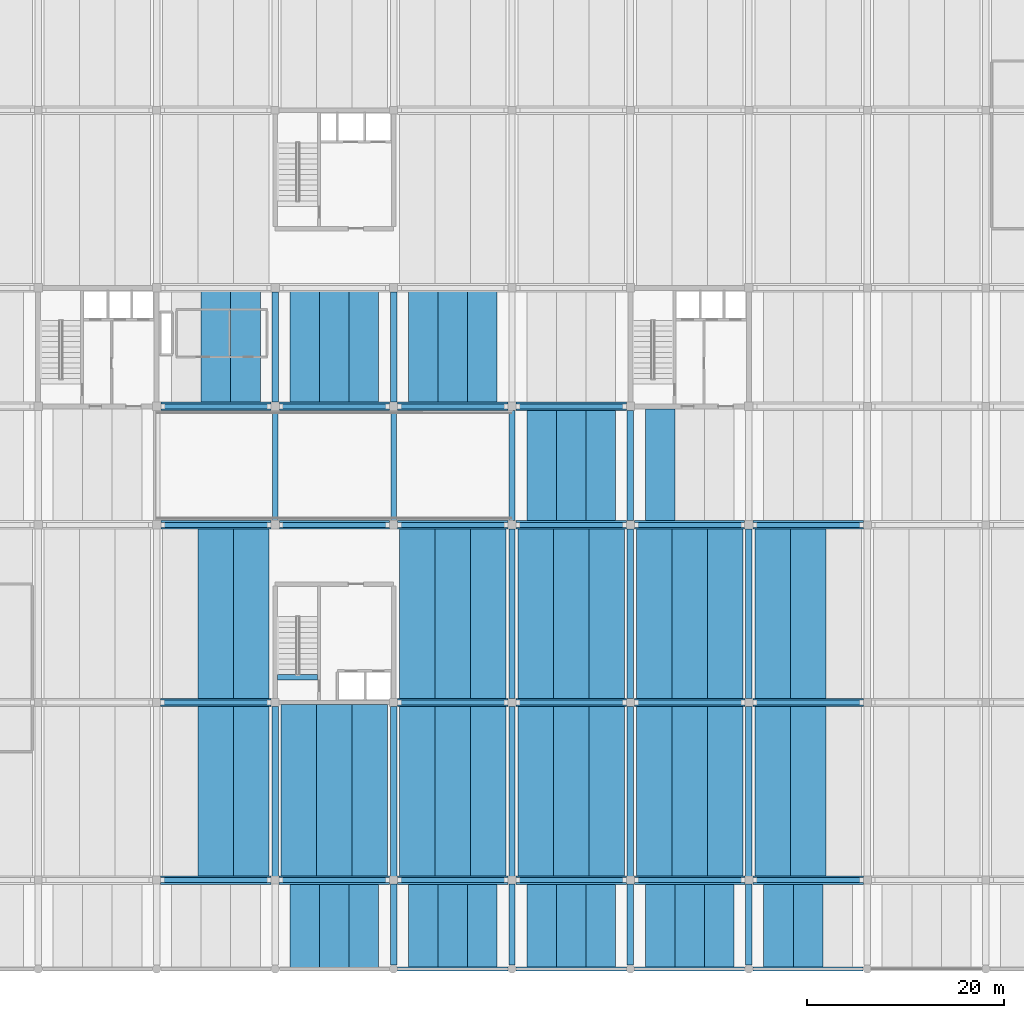
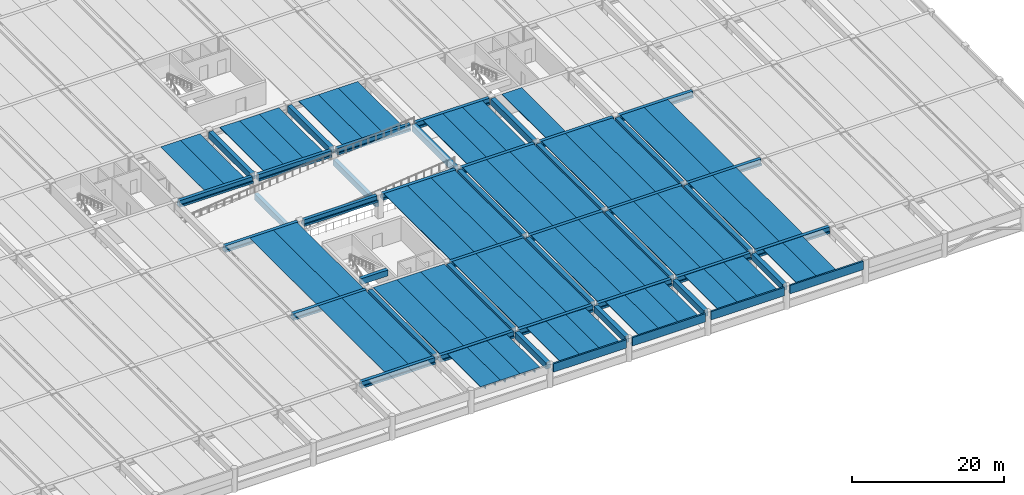
# One storey, part 3 of 21: 99 beams.
"""IFC4 building model written with IfcOpenShell, lengths in metres."""

from ifc_helpers import new_model, si_unit, direction, frame, origin, origin_2d, place, context, subcontext, project, spatial, polyline, rectangle, outline, extrude, material, material_profile, profile_set, type_object, element, save


model = new_model("IFC4")

# Units and contexts
model_context = context("Model", 3, precision=1e-05, world=origin(), true_north=direction((0.0, 1.0)))
body_context = subcontext(model_context, "Body", "Model", "MODEL_VIEW")
ifc_project = project(units=[si_unit("LENGTHUNIT", "METRE"), si_unit("AREAUNIT", "SQUARE_METRE"), si_unit("VOLUMEUNIT", "CUBIC_METRE"), si_unit("PLANEANGLEUNIT", "RADIAN"), si_unit("MASSUNIT", "GRAM", prefix="KILO")], contexts=[model_context])

# Site, building, storey
site_placement = place(None, origin())
site = spatial("IfcSite", under=ifc_project, at=site_placement, CompositionType="ELEMENT")
building_placement = place(site_placement, origin())
building = spatial("IfcBuilding", under=site, at=building_placement, Name="Girod Span Mobility Hub", CompositionType="ELEMENT")
storey_placement = place(building_placement, frame((0.0, 0.0, 17.199951171875)))
storey = spatial("IfcBuildingStorey", under=building, at=storey_placement, Name="L04", CompositionType="ELEMENT", Elevation=17.199951171875)

# Beams
ifc_material_1 = material(Name="Concrete C50/60", Category="concrete")
ifc_material_profile_1 = material_profile(ifc_material_1, outline(polyline([(-1.5, 0.300048828125), (-1.5, 0.2099609375), (-0.8349609375, 0.2099609375), (-0.8125, -0.300048828125), (-0.6875, -0.300048828125), (-0.6650390625, 0.2099609375), (0.6650390625, 0.2099609375), (0.6875, -0.300048828125), (0.8125, -0.300048828125), (0.8349609375, 0.2099609375), (1.5, 0.2099609375), (1.5, 0.300048828125), (-1.5, 0.300048828125)])), Name="DT-3000X600")
ifc_profile_set_1 = profile_set([ifc_material_profile_1], Name="Concrete C50/60")
beam_type_1 = type_object("IfcBeamType", Name="BM-DT-3000X600", PredefinedType="JOIST", material=ifc_profile_set_1)
for number, where, z_axis, x_axis, name in (
    (1, (66.0, 57.2470703125, 3.340087890625), (0.0, 1.0, 0.0), (-1.0, 0.0, 0.0), "Double-Tee Deck 6/E-2 L04"),
    (2, (69.0, 57.2470703125, 3.340087890625), (0.0, 1.0, 0.0), (-1.0, 0.0, 0.0), "Double-Tee Deck 6/E-3 L04"),
):
    element("IfcBeam", number, at=place(storey_placement, frame(where, z_axis=z_axis, x_axis=x_axis)), inside=storey, type_object=beam_type_1, Name=name, PredefinedType="JOIST", context=body_context, shape_type="SweptSolid", body=[
        extrude(outline(polyline([(-1.5, 0.300048828125), (-1.5, 0.2099609375), (-0.8349609375, 0.2099609375), (-0.8125, -0.300048828125), (-0.6875, -0.300048828125), (-0.6650390625, 0.2099609375), (0.6650390625, 0.2099609375), (0.6875, -0.300048828125), (0.8125, -0.300048828125), (0.8349609375, 0.2099609375), (1.5, 0.2099609375), (1.5, 0.300048828125), (-1.5, 0.300048828125)])), origin(), (0.0, 0.0, 1.0), 11.505859375),
    ])
for number, where, z_axis, x_axis, name in (
    (3, (75.0, 0.02197265625, 3.280029296875), (0.0, 1.0, 0.0), (-1.0, 0.0, 0.0), "Double-Tee Deck 7/A-1 L04"),
    (4, (78.0, 0.02197265625, 3.280029296875), (0.0, 1.0, 0.0), (-1.0, 0.0, 0.0), "Double-Tee Deck 7/A-2 L04"),
    (5, (81.0, 0.02197265625, 3.280029296875), (0.0, 1.0, 0.0), (-1.0, 0.0, 0.0), "Double-Tee Deck 7/A-3 L04"),
):
    element("IfcBeam", number, at=place(storey_placement, frame(where, z_axis=z_axis, x_axis=x_axis)), inside=storey, type_object=beam_type_1, Name=name, PredefinedType="JOIST", context=body_context, shape_type="SweptSolid", body=[
        extrude(outline(polyline([(-1.5, 0.300048828125), (-1.5, 0.2099609375), (-0.8349609375, 0.2099609375), (-0.8125, -0.300048828125), (-0.6875, -0.300048828125), (-0.6650390625, 0.2099609375), (0.6650390625, 0.2099609375), (0.6875, -0.300048828125), (0.8125, -0.300048828125), (0.8349609375, 0.2099609375), (1.5, 0.2099609375), (1.5, 0.300048828125), (-1.5, 0.300048828125)])), origin(), (0.0, 0.0, 1.0), 8.73095703125),
    ])
for number, where, z_axis, x_axis, name in (
    (6, (75.0, 57.2470703125, 3.340087890625), (0.0, 1.0, 0.0), (-1.0, 0.0, 0.0), "Double-Tee Deck 7/E-1 L04"),
    (7, (78.0, 57.2470703125, 3.340087890625), (0.0, 1.0, 0.0), (-1.0, 0.0, 0.0), "Double-Tee Deck 7/E-2 L04"),
    (8, (81.0, 57.2470703125, 3.340087890625), (0.0, 1.0, 0.0), (-1.0, 0.0, 0.0), "Double-Tee Deck 7/E-3 L04"),
):
    element("IfcBeam", number, at=place(storey_placement, frame(where, z_axis=z_axis, x_axis=x_axis)), inside=storey, type_object=beam_type_1, Name=name, PredefinedType="JOIST", context=body_context, shape_type="SweptSolid", body=[
        extrude(outline(polyline([(-1.5, 0.300048828125), (-1.5, 0.2099609375), (-0.8349609375, 0.2099609375), (-0.8125, -0.300048828125), (-0.6875, -0.300048828125), (-0.6650390625, 0.2099609375), (0.6650390625, 0.2099609375), (0.6875, -0.300048828125), (0.8125, -0.300048828125), (0.8349609375, 0.2099609375), (1.5, 0.2099609375), (1.5, 0.300048828125), (-1.5, 0.300048828125)])), origin(), (0.0, 0.0, 1.0), 11.505859375),
    ])
for number, where, z_axis, x_axis, name in (
    (9, (87.0, 0.02197265625, 3.280029296875), (0.0, 1.0, 0.0), (-1.0, 0.0, 0.0), "Double-Tee Deck 8/A-1 L04"),
    (10, (90.0, 0.02197265625, 3.280029296875), (0.0, 1.0, 0.0), (-1.0, 0.0, 0.0), "Double-Tee Deck 8/A-2 L04"),
    (11, (93.0, 0.02197265625, 3.280029296875), (0.0, 1.0, 0.0), (-1.0, 0.0, 0.0), "Double-Tee Deck 8/A-3 L04"),
):
    element("IfcBeam", number, at=place(storey_placement, frame(where, z_axis=z_axis, x_axis=x_axis)), inside=storey, type_object=beam_type_1, Name=name, PredefinedType="JOIST", context=body_context, shape_type="SweptSolid", body=[
        extrude(outline(polyline([(-1.5, 0.300048828125), (-1.5, 0.2099609375), (-0.8349609375, 0.2099609375), (-0.8125, -0.300048828125), (-0.6875, -0.300048828125), (-0.6650390625, 0.2099609375), (0.6650390625, 0.2099609375), (0.6875, -0.300048828125), (0.8125, -0.300048828125), (0.8349609375, 0.2099609375), (1.5, 0.2099609375), (1.5, 0.300048828125), (-1.5, 0.300048828125)])), origin(), (0.0, 0.0, 1.0), 8.73095703125),
    ])
for number, where, z_axis, x_axis, name in (
    (12, (87.0, 57.2470703125, 3.340087890625), (0.0, 1.0, 0.0), (-1.0, 0.0, 0.0), "Double-Tee Deck 8/E-1 L04"),
    (13, (90.0, 57.2470703125, 3.340087890625), (0.0, 1.0, 0.0), (-1.0, 0.0, 0.0), "Double-Tee Deck 8/E-2 L04"),
    (14, (93.0, 57.2470703125, 3.340087890625), (0.0, 1.0, 0.0), (-1.0, 0.0, 0.0), "Double-Tee Deck 8/E-3 L04"),
):
    element("IfcBeam", number, at=place(storey_placement, frame(where, z_axis=z_axis, x_axis=x_axis)), inside=storey, type_object=beam_type_1, Name=name, PredefinedType="JOIST", context=body_context, shape_type="SweptSolid", body=[
        extrude(outline(polyline([(-1.5, 0.300048828125), (-1.5, 0.2099609375), (-0.8349609375, 0.2099609375), (-0.8125, -0.300048828125), (-0.6875, -0.300048828125), (-0.6650390625, 0.2099609375), (0.6650390625, 0.2099609375), (0.6875, -0.300048828125), (0.8125, -0.300048828125), (0.8349609375, 0.2099609375), (1.5, 0.2099609375), (1.5, 0.300048828125), (-1.5, 0.300048828125)])), origin(), (0.0, 0.0, 1.0), 11.505859375),
    ])
for number, where, z_axis, x_axis, name in (
    (15, (99.0, 0.02197265625, 3.280029296875), (0.0, 1.0, 0.0), (-1.0, 0.0, 0.0), "Double-Tee Deck 9/A-1 L04"),
    (16, (102.0, 0.02197265625, 3.280029296875), (0.0, 1.0, 0.0), (-1.0, 0.0, 0.0), "Double-Tee Deck 9/A-2 L04"),
    (17, (105.0, 0.02197265625, 3.280029296875), (0.0, 1.0, 0.0), (-1.0, 0.0, 0.0), "Double-Tee Deck 9/A-3 L04"),
):
    element("IfcBeam", number, at=place(storey_placement, frame(where, z_axis=z_axis, x_axis=x_axis)), inside=storey, type_object=beam_type_1, Name=name, PredefinedType="JOIST", context=body_context, shape_type="SweptSolid", body=[
        extrude(outline(polyline([(-1.5, 0.300048828125), (-1.5, 0.2099609375), (-0.8349609375, 0.2099609375), (-0.8125, -0.300048828125), (-0.6875, -0.300048828125), (-0.6650390625, 0.2099609375), (0.6650390625, 0.2099609375), (0.6875, -0.300048828125), (0.8125, -0.300048828125), (0.8349609375, 0.2099609375), (1.5, 0.2099609375), (1.5, 0.300048828125), (-1.5, 0.300048828125)])), origin(), (0.0, 0.0, 1.0), 8.73095703125),
    ])
for number, where, z_axis, x_axis, name in (
    (18, (99.0, 45.2470703125, 3.340087890625), (0.0, 1.0, 0.0), (-1.0, 0.0, 0.0), "Double-Tee Deck 9/D-1 L04"),
    (19, (102.0, 45.2470703125, 3.340087890625), (0.0, 1.0, 0.0), (-1.0, 0.0, 0.0), "Double-Tee Deck 9/D-2 L04"),
    (20, (105.0, 45.2470703125, 3.340087890625), (0.0, 1.0, 0.0), (-1.0, 0.0, 0.0), "Double-Tee Deck 9/D-3 L04"),
):
    element("IfcBeam", number, at=place(storey_placement, frame(where, z_axis=z_axis, x_axis=x_axis)), inside=storey, type_object=beam_type_1, Name=name, PredefinedType="JOIST", context=body_context, shape_type="SweptSolid", body=[
        extrude(outline(polyline([(-1.5, 0.300048828125), (-1.5, 0.2099609375), (-0.8349609375, 0.2099609375), (-0.8125, -0.300048828125), (-0.6875, -0.300048828125), (-0.6650390625, 0.2099609375), (0.6650390625, 0.2099609375), (0.6875, -0.300048828125), (0.8125, -0.300048828125), (0.8349609375, 0.2099609375), (1.5, 0.2099609375), (1.5, 0.300048828125), (-1.5, 0.300048828125)])), origin(), (0.0, 0.0, 1.0), 11.505859375),
    ])
for number, where, z_axis, x_axis, name in (
    (21, (111.0, 0.02197265625, 3.280029296875), (0.0, 1.0, 0.0), (-1.0, 0.0, 0.0), "Double-Tee Deck 10/A-1 L04"),
    (22, (114.0, 0.02197265625, 3.280029296875), (0.0, 1.0, 0.0), (-1.0, 0.0, 0.0), "Double-Tee Deck 10/A-2 L04"),
    (23, (117.0, 0.02197265625, 3.280029296875), (0.0, 1.0, 0.0), (-1.0, 0.0, 0.0), "Double-Tee Deck 10/A-3 L04"),
):
    element("IfcBeam", number, at=place(storey_placement, frame(where, z_axis=z_axis, x_axis=x_axis)), inside=storey, type_object=beam_type_1, Name=name, PredefinedType="JOIST", context=body_context, shape_type="SweptSolid", body=[
        extrude(outline(polyline([(-1.5, 0.300048828125), (-1.5, 0.2099609375), (-0.8349609375, 0.2099609375), (-0.8125, -0.300048828125), (-0.6875, -0.300048828125), (-0.6650390625, 0.2099609375), (0.6650390625, 0.2099609375), (0.6875, -0.300048828125), (0.8125, -0.300048828125), (0.8349609375, 0.2099609375), (1.5, 0.2099609375), (1.5, 0.300048828125), (-1.5, 0.300048828125)])), origin(), (0.0, 0.0, 1.0), 8.73095703125),
    ])
beam_1_placement = place(storey_placement, frame((111.0, 45.2470703125, 3.340087890625), z_axis=(0.0, 1.0, 0.0), x_axis=(-1.0, 0.0, 0.0)))
element("IfcBeam", 24, at=beam_1_placement, inside=storey, type_object=beam_type_1, Name="Double-Tee Deck 10/D-1 L04", PredefinedType="JOIST", context=body_context, shape_type="SweptSolid", body=[
    extrude(outline(polyline([(-1.5, 0.300048828125), (-1.5, 0.2099609375), (-0.8349609375, 0.2099609375), (-0.8125, -0.300048828125), (-0.6875, -0.300048828125), (-0.6650390625, 0.2099609375), (0.6650390625, 0.2099609375), (0.6875, -0.300048828125), (0.8125, -0.300048828125), (0.8349609375, 0.2099609375), (1.5, 0.2099609375), (1.5, 0.300048828125), (-1.5, 0.300048828125)])), origin(), (0.0, 0.0, 1.0), 11.505859375),
])
for number, where, z_axis, x_axis, name in (
    (25, (123.0, 0.02197265625, 3.280029296875), (0.0, 1.0, 0.0), (-1.0, 0.0, 0.0), "Double-Tee Deck 11/A-1 L04"),
    (26, (126.0, 0.02197265625, 3.280029296875), (0.0, 1.0, 0.0), (-1.0, 0.0, 0.0), "Double-Tee Deck 11/A-2 L04"),
):
    element("IfcBeam", number, at=place(storey_placement, frame(where, z_axis=z_axis, x_axis=x_axis)), inside=storey, type_object=beam_type_1, Name=name, PredefinedType="JOIST", context=body_context, shape_type="SweptSolid", body=[
        extrude(outline(polyline([(-1.5, 0.300048828125), (-1.5, 0.2099609375), (-0.8349609375, 0.2099609375), (-0.8125, -0.300048828125), (-0.6875, -0.300048828125), (-0.6650390625, 0.2099609375), (0.6650390625, 0.2099609375), (0.6875, -0.300048828125), (0.8125, -0.300048828125), (0.8349609375, 0.2099609375), (1.5, 0.2099609375), (1.5, 0.300048828125), (-1.5, 0.300048828125)])), origin(), (0.0, 0.0, 1.0), 8.73095703125),
    ])
ifc_material_2 = material(Name="Concrete C50/60", Category="concrete")
ifc_material_profile_2 = material_profile(ifc_material_2, outline(polyline([(-1.800048828125, 0.425048828125), (-1.800048828125, 0.324951171875), (-1.0, 0.324951171875), (-0.969970703125, -0.425048828125), (-0.830078125, -0.425048828125), (-0.800048828125, 0.324951171875), (0.800048828125, 0.324951171875), (0.830078125, -0.425048828125), (0.969970703125, -0.425048828125), (1.0, 0.324951171875), (1.800048828125, 0.324951171875), (1.800048828125, 0.425048828125), (-1.800048828125, 0.425048828125)])), Name="DT-3600X850")
ifc_profile_set_2 = profile_set([ifc_material_profile_2], Name="Concrete C50/60")
beam_type_2 = type_object("IfcBeamType", Name="BM-DT-3600X850", PredefinedType="JOIST", material=ifc_profile_set_2)
for number, where, z_axis, x_axis, name in (
    (27, (66.0, 9.2470703125, 3.215087890625), (0.0, 1.0, 0.0), (-1.0, 0.0, 0.0), "Double-Tee Deck 6/B-2 L04"),
    (28, (69.60009765625, 9.2470703125, 3.215087890625), (0.0, 1.0, 0.0), (-1.0, 0.0, 0.0), "Double-Tee Deck 6/B-3 L04"),
    (29, (66.0, 27.2470703125, 3.215087890625), (0.0, 1.0, 0.0), (-1.0, 0.0, 0.0), "Double-Tee Deck 6/C-2 L04"),
    (30, (69.60009765625, 27.2470703125, 3.215087890625), (0.0, 1.0, 0.0), (-1.0, 0.0, 0.0), "Double-Tee Deck 6/C-3 L04"),
):
    element("IfcBeam", number, at=place(storey_placement, frame(where, z_axis=z_axis, x_axis=x_axis)), inside=storey, type_object=beam_type_2, Name=name, PredefinedType="JOIST", context=body_context, shape_type="SweptSolid", body=[
        extrude(outline(polyline([(-1.800048828125, 0.425048828125), (-1.800048828125, 0.324951171875), (-1.0, 0.324951171875), (-0.969970703125, -0.425048828125), (-0.830078125, -0.425048828125), (-0.800048828125, 0.324951171875), (0.800048828125, 0.324951171875), (0.830078125, -0.425048828125), (0.969970703125, -0.425048828125), (1.0, 0.324951171875), (1.800048828125, 0.324951171875), (1.800048828125, 0.425048828125), (-1.800048828125, 0.425048828125)])), origin(), (0.0, 0.0, 1.0), 17.505859375),
    ])
for number, where, z_axis, x_axis, name in (
    (31, (74.39990234375, 9.2470703125, 3.215087890625), (0.0, 1.0, 0.0), (-1.0, 0.0, 0.0), "Double-Tee Deck 7/B-1 L04"),
    (32, (78.0, 9.2470703125, 3.215087890625), (0.0, 1.0, 0.0), (-1.0, 0.0, 0.0), "Double-Tee Deck 7/B-2 L04"),
    (33, (81.60009765625, 9.2470703125, 3.215087890625), (0.0, 1.0, 0.0), (-1.0, 0.0, 0.0), "Double-Tee Deck 7/B-3 L04"),
):
    element("IfcBeam", number, at=place(storey_placement, frame(where, z_axis=z_axis, x_axis=x_axis)), inside=storey, type_object=beam_type_2, Name=name, PredefinedType="JOIST", context=body_context, shape_type="SweptSolid", body=[
        extrude(outline(polyline([(-1.800048828125, 0.425048828125), (-1.800048828125, 0.324951171875), (-1.0, 0.324951171875), (-0.969970703125, -0.425048828125), (-0.830078125, -0.425048828125), (-0.800048828125, 0.324951171875), (0.800048828125, 0.324951171875), (0.830078125, -0.425048828125), (0.969970703125, -0.425048828125), (1.0, 0.324951171875), (1.800048828125, 0.324951171875), (1.800048828125, 0.425048828125), (-1.800048828125, 0.425048828125)])), origin(), (0.0, 0.0, 1.0), 17.531005859375),
    ])
for number, where, z_axis, x_axis, name in (
    (34, (86.39990234375, 9.2470703125, 3.215087890625), (0.0, 1.0, 0.0), (-1.0, 0.0, 0.0), "Double-Tee Deck 8/B-1 L04"),
    (35, (90.0, 9.2470703125, 3.215087890625), (0.0, 1.0, 0.0), (-1.0, 0.0, 0.0), "Double-Tee Deck 8/B-2 L04"),
    (36, (93.60009765625, 9.2470703125, 3.215087890625), (0.0, 1.0, 0.0), (-1.0, 0.0, 0.0), "Double-Tee Deck 8/B-3 L04"),
    (37, (86.39990234375, 27.2470703125, 3.215087890625), (0.0, 1.0, 0.0), (-1.0, 0.0, 0.0), "Double-Tee Deck 8/C-1 L04"),
    (38, (90.0, 27.2470703125, 3.215087890625), (0.0, 1.0, 0.0), (-1.0, 0.0, 0.0), "Double-Tee Deck 8/C-2 L04"),
    (39, (93.60009765625, 27.2470703125, 3.215087890625), (0.0, 1.0, 0.0), (-1.0, 0.0, 0.0), "Double-Tee Deck 8/C-3 L04"),
    (40, (98.39990234375, 9.2470703125, 3.215087890625), (0.0, 1.0, 0.0), (-1.0, 0.0, 0.0), "Double-Tee Deck 9/B-1 L04"),
    (41, (102.0, 9.2470703125, 3.215087890625), (0.0, 1.0, 0.0), (-1.0, 0.0, 0.0), "Double-Tee Deck 9/B-2 L04"),
    (42, (105.60009765625, 9.2470703125, 3.215087890625), (0.0, 1.0, 0.0), (-1.0, 0.0, 0.0), "Double-Tee Deck 9/B-3 L04"),
    (43, (98.39990234375, 27.2470703125, 3.215087890625), (0.0, 1.0, 0.0), (-1.0, 0.0, 0.0), "Double-Tee Deck 9/C-1 L04"),
    (44, (102.0, 27.2470703125, 3.215087890625), (0.0, 1.0, 0.0), (-1.0, 0.0, 0.0), "Double-Tee Deck 9/C-2 L04"),
    (45, (105.60009765625, 27.2470703125, 3.215087890625), (0.0, 1.0, 0.0), (-1.0, 0.0, 0.0), "Double-Tee Deck 9/C-3 L04"),
    (46, (110.39990234375, 9.2470703125, 3.215087890625), (0.0, 1.0, 0.0), (-1.0, 0.0, 0.0), "Double-Tee Deck 10/B-1 L04"),
    (47, (114.0, 9.2470703125, 3.215087890625), (0.0, 1.0, 0.0), (-1.0, 0.0, 0.0), "Double-Tee Deck 10/B-2 L04"),
    (48, (117.60009765625, 9.2470703125, 3.215087890625), (0.0, 1.0, 0.0), (-1.0, 0.0, 0.0), "Double-Tee Deck 10/B-3 L04"),
    (49, (110.39990234375, 27.2470703125, 3.215087890625), (0.0, 1.0, 0.0), (-1.0, 0.0, 0.0), "Double-Tee Deck 10/C-1 L04"),
    (50, (114.0, 27.2470703125, 3.215087890625), (0.0, 1.0, 0.0), (-1.0, 0.0, 0.0), "Double-Tee Deck 10/C-2 L04"),
    (51, (117.60009765625, 27.2470703125, 3.215087890625), (0.0, 1.0, 0.0), (-1.0, 0.0, 0.0), "Double-Tee Deck 10/C-3 L04"),
    (52, (122.39990234375, 9.2470703125, 3.215087890625), (0.0, 1.0, 0.0), (-1.0, 0.0, 0.0), "Double-Tee Deck 11/B-1 L04"),
    (53, (126.0, 9.2470703125, 3.215087890625), (0.0, 1.0, 0.0), (-1.0, 0.0, 0.0), "Double-Tee Deck 11/B-2 L04"),
    (54, (122.39990234375, 27.2470703125, 3.215087890625), (0.0, 1.0, 0.0), (-1.0, 0.0, 0.0), "Double-Tee Deck 11/C-1 L04"),
    (55, (126.0, 27.2470703125, 3.215087890625), (0.0, 1.0, 0.0), (-1.0, 0.0, 0.0), "Double-Tee Deck 11/C-2 L04"),
):
    element("IfcBeam", number, at=place(storey_placement, frame(where, z_axis=z_axis, x_axis=x_axis)), inside=storey, type_object=beam_type_2, Name=name, PredefinedType="JOIST", context=body_context, shape_type="SweptSolid", body=[
        extrude(outline(polyline([(-1.800048828125, 0.425048828125), (-1.800048828125, 0.324951171875), (-1.0, 0.324951171875), (-0.969970703125, -0.425048828125), (-0.830078125, -0.425048828125), (-0.800048828125, 0.324951171875), (0.800048828125, 0.324951171875), (0.830078125, -0.425048828125), (0.969970703125, -0.425048828125), (1.0, 0.324951171875), (1.800048828125, 0.324951171875), (1.800048828125, 0.425048828125), (-1.800048828125, 0.425048828125)])), origin(), (0.0, 0.0, 1.0), 17.505859375),
    ])
ifc_material_3 = material(Name="Concrete C50/60", Category="concrete")
ifc_material_profile_3 = material_profile(ifc_material_3, outline(polyline([(-0.425048828125, -0.47509765625), (0.425048828125, -0.47509765625), (0.425048828125, -0.155029296875), (0.25, -0.155029296875), (0.25, 0.47509765625), (-0.25, 0.47509765625), (-0.25, -0.155029296875), (-0.425048828125, -0.155029296875), (-0.425048828125, -0.47509765625)])), Name="IT-850X950")
ifc_profile_set_3 = profile_set([ifc_material_profile_3], Name="Concrete C50/60")
beam_type_3 = type_object("IfcBeamType", Name="BM-IT-850X950", PredefinedType="T_BEAM", material=ifc_profile_set_3)
for number, where, z_axis, x_axis, name in (
    (56, (60.39697265625, 9.0, 3.1650390625), (1.0, 0.0, 0.0), (0.0, 1.0, 0.0), "Girder 6-7/B L04"),
    (57, (72.39697265625, 9.0, 3.1650390625), (1.0, 0.0, 0.0), (0.0, 1.0, 0.0), "Girder 7-8/B L04"),
    (58, (84.39697265625, 9.0, 3.1650390625), (1.0, 0.0, 0.0), (0.0, 1.0, 0.0), "Girder 8-9/B L04"),
    (59, (96.39697265625, 9.0, 3.1650390625), (1.0, 0.0, 0.0), (0.0, 1.0, 0.0), "Girder 9-10/B L04"),
    (60, (108.39697265625, 9.0, 3.1650390625), (1.0, 0.0, 0.0), (0.0, 1.0, 0.0), "Girder 10-11/B L04"),
    (61, (120.39697265625, 9.0, 3.1650390625), (1.0, 0.0, 0.0), (0.0, 1.0, 0.0), "Girder 11-12/B L04"),
    (62, (60.39697265625, 27.0, 3.1650390625), (1.0, 0.0, 0.0), (0.0, 1.0, 0.0), "Girder 6-7/C L04"),
    (63, (84.39697265625, 27.0, 3.1650390625), (1.0, 0.0, 0.0), (0.0, 1.0, 0.0), "Girder 8-9/C L04"),
    (64, (96.39697265625, 27.0, 3.1650390625), (1.0, 0.0, 0.0), (0.0, 1.0, 0.0), "Girder 9-10/C L04"),
    (65, (108.39697265625, 27.0, 3.1650390625), (1.0, 0.0, 0.0), (0.0, 1.0, 0.0), "Girder 10-11/C L04"),
    (66, (120.39697265625, 27.0, 3.1650390625), (1.0, 0.0, 0.0), (0.0, 1.0, 0.0), "Girder 11-12/C L04"),
):
    element("IfcBeam", number, at=place(storey_placement, frame(where, z_axis=z_axis, x_axis=x_axis)), inside=storey, type_object=beam_type_3, Name=name, PredefinedType="T_BEAM", context=body_context, shape_type="SweptSolid", body=[
        extrude(outline(polyline([(-0.425048828125, -0.47509765625), (0.425048828125, -0.47509765625), (0.425048828125, -0.155029296875), (0.25, -0.155029296875), (0.25, 0.47509765625), (-0.25, 0.47509765625), (-0.25, -0.155029296875), (-0.425048828125, -0.155029296875), (-0.425048828125, -0.47509765625)])), origin(), (0.0, 0.0, 1.0), 11.2060546875),
    ])
for number, where, z_axis, x_axis, name in (
    (67, (60.422119140625, 45.0, 3.1650390625), (1.0, 0.0, 0.0), (0.0, 1.0, 0.0), "Girder 6-7/D L04"),
    (68, (72.422119140625, 45.0, 3.1650390625), (1.0, 0.0, 0.0), (0.0, 1.0, 0.0), "Girder 7-8/D L04"),
    (69, (84.422119140625, 45.0, 3.1650390625), (1.0, 0.0, 0.0), (0.0, 1.0, 0.0), "Girder 8-9/D L04"),
    (70, (96.422119140625, 45.0, 3.1650390625), (1.0, 0.0, 0.0), (0.0, 1.0, 0.0), "Girder 9-10/D L04"),
    (71, (108.422119140625, 45.0, 3.1650390625), (1.0, 0.0, 0.0), (0.0, 1.0, 0.0), "Girder 10-11/D L04"),
):
    element("IfcBeam", number, at=place(storey_placement, frame(where, z_axis=z_axis, x_axis=x_axis)), inside=storey, type_object=beam_type_3, Name=name, PredefinedType="T_BEAM", context=body_context, shape_type="SweptSolid", body=[
        extrude(outline(polyline([(-0.425048828125, -0.47509765625), (0.425048828125, -0.47509765625), (0.425048828125, -0.155029296875), (0.25, -0.155029296875), (0.25, 0.47509765625), (-0.25, 0.47509765625), (-0.25, -0.155029296875), (-0.425048828125, -0.155029296875), (-0.425048828125, -0.47509765625)])), origin(), (0.0, 0.0, 1.0), 11.15576171875),
    ])
beam_2_placement = place(storey_placement, frame((120.422119140625, 45.0, 3.1650390625), z_axis=(1.0, 0.0, 0.0), x_axis=(0.0, 1.0, 0.0)))
element("IfcBeam", 72, at=beam_2_placement, inside=storey, type_object=beam_type_3, Name="Girder 11-12/D L04", PredefinedType="T_BEAM", context=body_context, shape_type="SweptSolid", body=[
    extrude(outline(polyline([(-0.425048828125, -0.47509765625), (0.425048828125, -0.47509765625), (0.425048828125, -0.155029296875), (0.25, -0.155029296875), (0.25, 0.47509765625), (-0.25, 0.47509765625), (-0.25, -0.155029296875), (-0.425048828125, -0.155029296875), (-0.425048828125, -0.47509765625)])), origin(), (0.0, 0.0, 1.0), 11.180908203125),
])
for number, where, z_axis, x_axis, name in (
    (73, (60.422119140625, 57.0, 3.1650390625), (1.0, 0.0, 0.0), (0.0, 1.0, 0.0), "Girder 6-7/E L04"),
    (74, (72.422119140625, 57.0, 3.1650390625), (1.0, 0.0, 0.0), (0.0, 1.0, 0.0), "Girder 7-8/E L04"),
    (75, (84.422119140625, 57.0, 3.1650390625), (1.0, 0.0, 0.0), (0.0, 1.0, 0.0), "Girder 8-9/E L04"),
    (76, (96.422119140625, 57.0, 3.1650390625), (1.0, 0.0, 0.0), (0.0, 1.0, 0.0), "Girder 9-10/E L04"),
):
    element("IfcBeam", number, at=place(storey_placement, frame(where, z_axis=z_axis, x_axis=x_axis)), inside=storey, type_object=beam_type_3, Name=name, PredefinedType="T_BEAM", context=body_context, shape_type="SweptSolid", body=[
        extrude(outline(polyline([(-0.425048828125, -0.47509765625), (0.425048828125, -0.47509765625), (0.425048828125, -0.155029296875), (0.25, -0.155029296875), (0.25, 0.47509765625), (-0.25, 0.47509765625), (-0.25, -0.155029296875), (-0.425048828125, -0.155029296875), (-0.425048828125, -0.47509765625)])), origin(), (0.0, 0.0, 1.0), 11.15576171875),
    ])
ifc_material_4 = material(Name="Concrete C40/50", Category="concrete")
ifc_material_profile_4 = material_profile(ifc_material_4, rectangle(XDim=0.550048828125, YDim=0.949951171875, at=origin_2d()), Name="RK-550X950")
ifc_profile_set_4 = profile_set([ifc_material_profile_4], Name="Concrete C40/50")
beam_type_4 = type_object("IfcBeamType", Name="BM-RK-550X950", PredefinedType="BEAM", material=ifc_profile_set_4)
beam_3_placement = place(storey_placement, frame((72.221923828125, 29.550048828125, 3.1650390625), z_axis=(1.0, 0.0, 0.0), x_axis=(0.0, 1.0, 0.0)))
element("IfcBeam", 77, at=beam_3_placement, inside=storey, type_object=beam_type_4, Name="Stair ST-3 Landing Header Beam L04", PredefinedType="BEAM", context=body_context, shape_type="SweptSolid", body=[
    extrude(rectangle(XDim=0.550048828125, YDim=0.949951171875, at=origin_2d()), origin(), (0.0, 0.0, 1.0), 4.0810546875),
])
for number, where, z_axis, x_axis, name in (
    (78, (72.0, 45.422119140625, 0.51171875), (0.0, 1.0, 0.0), (-1.0, 0.0, 0.0), "Vehicular Ramp Support Beam X=72 L04"),
    (79, (84.0, 45.422119140625, 1.7783203125), (0.0, 1.0, 0.0), (-1.0, 0.0, 0.0), "Vehicular Ramp Support Beam X=84 L04"),
):
    element("IfcBeam", number, at=place(storey_placement, frame(where, z_axis=z_axis, x_axis=x_axis)), inside=storey, type_object=beam_type_4, Name=name, PredefinedType="BEAM", context=body_context, shape_type="SweptSolid", body=[
        extrude(rectangle(XDim=0.550048828125, YDim=0.949951171875, at=origin_2d()), origin(), (0.0, 0.0, 1.0), 11.15576171875),
    ])
ifc_material_5 = material(Name="Concrete C40/50", Category="concrete")
ifc_material_profile_5 = material_profile(ifc_material_5, outline(polyline([(-0.22509765625, -0.675048828125), (0.22509765625, -0.675048828125), (0.22509765625, -0.324951171875), (0.02490234375, -0.324951171875), (0.02490234375, 0.675048828125), (-0.22509765625, 0.675048828125), (-0.22509765625, -0.675048828125)])), Name="SP-450X1350")
ifc_profile_set_5 = profile_set([ifc_material_profile_5], Name="Concrete C40/50")
beam_type_5 = type_object("IfcBeamType", Name="BM-SP-450X1350", PredefinedType="SPANDREL", material=ifc_profile_set_5)
for number, where, z_axis, x_axis, name in (
    (80, (84.422119140625, 0.0, 2.905029296875), (1.0, 0.0, 0.0), (0.0, 1.0, 0.0), "Girder 8-9/A L04"),
    (81, (96.422119140625, 0.0, 2.905029296875), (1.0, 0.0, 0.0), (0.0, 1.0, 0.0), "Girder 9-10/A L04"),
    (82, (108.422119140625, 0.0, 2.905029296875), (1.0, 0.0, 0.0), (0.0, 1.0, 0.0), "Girder 10-11/A L04"),
    (83, (120.422119140625, 0.0, 2.905029296875), (1.0, 0.0, 0.0), (0.0, 1.0, 0.0), "Girder 11-12/A L04"),
):
    element("IfcBeam", number, at=place(storey_placement, frame(where, z_axis=z_axis, x_axis=x_axis)), inside=storey, type_object=beam_type_5, Name=name, PredefinedType="SPANDREL", context=body_context, shape_type="SweptSolid", body=[
        extrude(outline(polyline([(-0.22509765625, -0.675048828125), (0.22509765625, -0.675048828125), (0.22509765625, -0.324951171875), (0.02490234375, -0.324951171875), (0.02490234375, 0.675048828125), (-0.22509765625, 0.675048828125), (-0.22509765625, -0.675048828125)])), origin(), (0.0, 0.0, 1.0), 11.15576171875),
    ])
ifc_material_6 = material(Name="Concrete C40/50", Category="concrete")
ifc_material_profile_6 = material_profile(ifc_material_6, rectangle(XDim=0.64990234375, YDim=1.0, at=origin_2d()), Name="TG-650X1000")
ifc_profile_set_6 = profile_set([ifc_material_profile_6], Name="Concrete C40/50")
beam_type_6 = type_object("IfcBeamType", Name="BM-TG-650X1000", PredefinedType="T_BEAM", material=ifc_profile_set_6)
beam_4_placement = place(storey_placement, frame((72.0, 9.39697265625, 3.14013671875), z_axis=(0.0, 1.0, 0.0), x_axis=(-1.0, 0.0, 0.0)))
element("IfcBeam", 84, at=beam_4_placement, inside=storey, type_object=beam_type_6, Name="Tie Girder 7/B-C L04", PredefinedType="T_BEAM", context=body_context, shape_type="SweptSolid", body=[
    extrude(rectangle(XDim=0.64990234375, YDim=1.0, at=origin_2d()), origin(), (0.0, 0.0, 1.0), 17.2060546875),
])
beam_5_placement = place(storey_placement, frame((72.0, 57.422119140625, 3.14013671875), z_axis=(0.0, 1.0, 0.0), x_axis=(-1.0, 0.0, 0.0)))
element("IfcBeam", 85, at=beam_5_placement, inside=storey, type_object=beam_type_6, Name="Tie Girder 7/E-F L04", PredefinedType="T_BEAM", context=body_context, shape_type="SweptSolid", body=[
    extrude(rectangle(XDim=0.64990234375, YDim=1.0, at=origin_2d()), origin(), (0.0, 0.0, 1.0), 11.15576171875),
])
beam_6_placement = place(storey_placement, frame((84.0, 0.422119140625, 3.080078125), z_axis=(0.0, 1.0, 0.0), x_axis=(-1.0, 0.0, 0.0)))
element("IfcBeam", 86, at=beam_6_placement, inside=storey, type_object=beam_type_6, Name="Tie Girder 8/A-B L04", PredefinedType="T_BEAM", context=body_context, shape_type="SweptSolid", body=[
    extrude(rectangle(XDim=0.64990234375, YDim=1.0, at=origin_2d()), origin(), (0.0, 0.0, 1.0), 8.180908203125),
])
beam_7_placement = place(storey_placement, frame((84.0, 9.39697265625, 3.14013671875), z_axis=(0.0, 1.0, 0.0), x_axis=(-1.0, 0.0, 0.0)))
element("IfcBeam", 87, at=beam_7_placement, inside=storey, type_object=beam_type_6, Name="Tie Girder 8/B-C L04", PredefinedType="T_BEAM", context=body_context, shape_type="SweptSolid", body=[
    extrude(rectangle(XDim=0.64990234375, YDim=1.0, at=origin_2d()), origin(), (0.0, 0.0, 1.0), 17.2060546875),
])
beam_8_placement = place(storey_placement, frame((84.0, 57.422119140625, 3.14013671875), z_axis=(0.0, 1.0, 0.0), x_axis=(-1.0, 0.0, 0.0)))
element("IfcBeam", 88, at=beam_8_placement, inside=storey, type_object=beam_type_6, Name="Tie Girder 8/E-F L04", PredefinedType="T_BEAM", context=body_context, shape_type="SweptSolid", body=[
    extrude(rectangle(XDim=0.64990234375, YDim=1.0, at=origin_2d()), origin(), (0.0, 0.0, 1.0), 11.15576171875),
])
beam_9_placement = place(storey_placement, frame((96.0, 0.422119140625, 3.080078125), z_axis=(0.0, 1.0, 0.0), x_axis=(-1.0, 0.0, 0.0)))
element("IfcBeam", 89, at=beam_9_placement, inside=storey, type_object=beam_type_6, Name="Tie Girder 9/A-B L04", PredefinedType="T_BEAM", context=body_context, shape_type="SweptSolid", body=[
    extrude(rectangle(XDim=0.64990234375, YDim=1.0, at=origin_2d()), origin(), (0.0, 0.0, 1.0), 8.180908203125),
])
beam_10_placement = place(storey_placement, frame((96.0, 9.39697265625, 3.14013671875), z_axis=(0.0, 1.0, 0.0), x_axis=(-1.0, 0.0, 0.0)))
element("IfcBeam", 90, at=beam_10_placement, inside=storey, type_object=beam_type_6, Name="Tie Girder 9/B-C L04", PredefinedType="T_BEAM", context=body_context, shape_type="SweptSolid", body=[
    extrude(rectangle(XDim=0.64990234375, YDim=1.0, at=origin_2d()), origin(), (0.0, 0.0, 1.0), 17.2060546875),
])
beam_11_placement = place(storey_placement, frame((96.0, 27.39697265625, 3.14013671875), z_axis=(0.0, 1.0, 0.0), x_axis=(-1.0, 0.0, 0.0)))
element("IfcBeam", 91, at=beam_11_placement, inside=storey, type_object=beam_type_6, Name="Tie Girder 9/C-D L04", PredefinedType="T_BEAM", context=body_context, shape_type="SweptSolid", body=[
    extrude(rectangle(XDim=0.64990234375, YDim=1.0, at=origin_2d()), origin(), (0.0, 0.0, 1.0), 17.180908203125),
])
beam_12_placement = place(storey_placement, frame((96.0, 45.422119140625, 3.14013671875), z_axis=(0.0, 1.0, 0.0), x_axis=(-1.0, 0.0, 0.0)))
element("IfcBeam", 92, at=beam_12_placement, inside=storey, type_object=beam_type_6, Name="Tie Girder 9/D-E L04", PredefinedType="T_BEAM", context=body_context, shape_type="SweptSolid", body=[
    extrude(rectangle(XDim=0.64990234375, YDim=1.0, at=origin_2d()), origin(), (0.0, 0.0, 1.0), 11.15576171875),
])
beam_13_placement = place(storey_placement, frame((108.0, 0.422119140625, 3.080078125), z_axis=(0.0, 1.0, 0.0), x_axis=(-1.0, 0.0, 0.0)))
element("IfcBeam", 93, at=beam_13_placement, inside=storey, type_object=beam_type_6, Name="Tie Girder 10/A-B L04", PredefinedType="T_BEAM", context=body_context, shape_type="SweptSolid", body=[
    extrude(rectangle(XDim=0.64990234375, YDim=1.0, at=origin_2d()), origin(), (0.0, 0.0, 1.0), 8.180908203125),
])
beam_14_placement = place(storey_placement, frame((108.0, 9.39697265625, 3.14013671875), z_axis=(0.0, 1.0, 0.0), x_axis=(-1.0, 0.0, 0.0)))
element("IfcBeam", 94, at=beam_14_placement, inside=storey, type_object=beam_type_6, Name="Tie Girder 10/B-C L04", PredefinedType="T_BEAM", context=body_context, shape_type="SweptSolid", body=[
    extrude(rectangle(XDim=0.64990234375, YDim=1.0, at=origin_2d()), origin(), (0.0, 0.0, 1.0), 17.2060546875),
])
beam_15_placement = place(storey_placement, frame((108.0, 27.39697265625, 3.14013671875), z_axis=(0.0, 1.0, 0.0), x_axis=(-1.0, 0.0, 0.0)))
element("IfcBeam", 95, at=beam_15_placement, inside=storey, type_object=beam_type_6, Name="Tie Girder 10/C-D L04", PredefinedType="T_BEAM", context=body_context, shape_type="SweptSolid", body=[
    extrude(rectangle(XDim=0.64990234375, YDim=1.0, at=origin_2d()), origin(), (0.0, 0.0, 1.0), 17.180908203125),
])
beam_16_placement = place(storey_placement, frame((108.0, 45.422119140625, 3.14013671875), z_axis=(0.0, 1.0, 0.0), x_axis=(-1.0, 0.0, 0.0)))
element("IfcBeam", 96, at=beam_16_placement, inside=storey, type_object=beam_type_6, Name="Tie Girder 10/D-E L04", PredefinedType="T_BEAM", context=body_context, shape_type="SweptSolid", body=[
    extrude(rectangle(XDim=0.64990234375, YDim=1.0, at=origin_2d()), origin(), (0.0, 0.0, 1.0), 11.15576171875),
])
beam_17_placement = place(storey_placement, frame((120.0, 0.422119140625, 3.080078125), z_axis=(0.0, 1.0, 0.0), x_axis=(-1.0, 0.0, 0.0)))
element("IfcBeam", 97, at=beam_17_placement, inside=storey, type_object=beam_type_6, Name="Tie Girder 11/A-B L04", PredefinedType="T_BEAM", context=body_context, shape_type="SweptSolid", body=[
    extrude(rectangle(XDim=0.64990234375, YDim=1.0, at=origin_2d()), origin(), (0.0, 0.0, 1.0), 8.180908203125),
])
beam_18_placement = place(storey_placement, frame((120.0, 9.39697265625, 3.14013671875), z_axis=(0.0, 1.0, 0.0), x_axis=(-1.0, 0.0, 0.0)))
element("IfcBeam", 98, at=beam_18_placement, inside=storey, type_object=beam_type_6, Name="Tie Girder 11/B-C L04", PredefinedType="T_BEAM", context=body_context, shape_type="SweptSolid", body=[
    extrude(rectangle(XDim=0.64990234375, YDim=1.0, at=origin_2d()), origin(), (0.0, 0.0, 1.0), 17.2060546875),
])
beam_19_placement = place(storey_placement, frame((120.0, 27.39697265625, 3.14013671875), z_axis=(0.0, 1.0, 0.0), x_axis=(-1.0, 0.0, 0.0)))
element("IfcBeam", 99, at=beam_19_placement, inside=storey, type_object=beam_type_6, Name="Tie Girder 11/C-D L04", PredefinedType="T_BEAM", context=body_context, shape_type="SweptSolid", body=[
    extrude(rectangle(XDim=0.64990234375, YDim=1.0, at=origin_2d()), origin(), (0.0, 0.0, 1.0), 17.180908203125),
])

save(model, "model.ifc")
